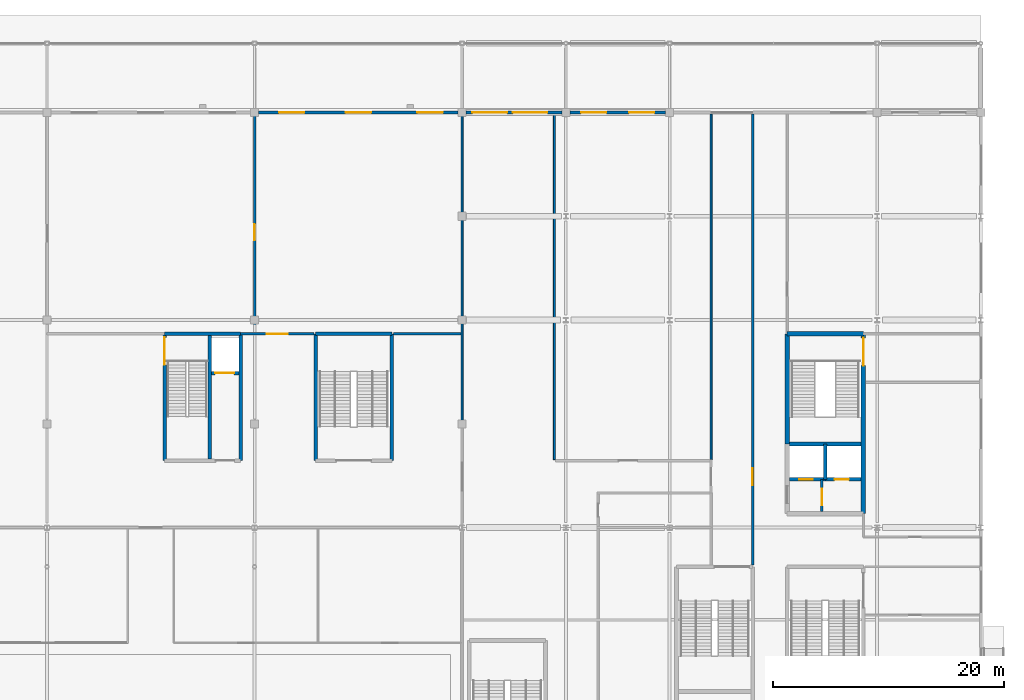
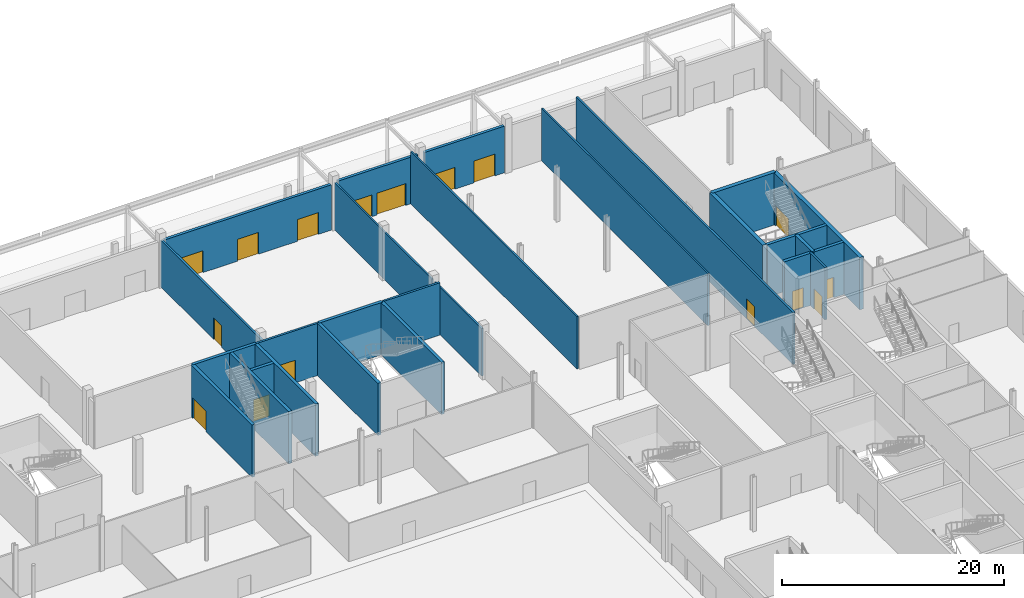
# One storey, part 42 of 84: 27 walls, 16 doors, 16 openings.
"""IFC4 building model written with IfcOpenShell, lengths in metres."""

from ifc_helpers import new_model, si_unit, direction, frame, frame_2d, origin, place, context, subcontext, project, spatial, rectangle, extrude, material, layer, layer_set, type_object, element, fill, save


model = new_model("IFC4")

# Units and contexts
model_context = context("Model", 3, precision=1e-05, world=origin(), true_north=direction((0.0, 1.0)))
body_context = subcontext(model_context, "Body", "Model", "MODEL_VIEW")
ifc_project = project(units=[si_unit("LENGTHUNIT", "METRE"), si_unit("AREAUNIT", "SQUARE_METRE"), si_unit("VOLUMEUNIT", "CUBIC_METRE"), si_unit("PLANEANGLEUNIT", "RADIAN"), si_unit("MASSUNIT", "GRAM", prefix="KILO")], contexts=[model_context])

# Site, building, storey
site_placement = place(None, origin())
site = spatial("IfcSite", under=ifc_project, at=site_placement, CompositionType="ELEMENT")
building_placement = place(site_placement, origin())
building = spatial("IfcBuilding", under=site, at=building_placement, Name="Kisiwana Market Hall", CompositionType="ELEMENT")
storey_placement = place(building_placement, origin())
storey = spatial("IfcBuildingStorey", under=building, at=storey_placement, Name="L00", CompositionType="ELEMENT", Elevation=0.0)

# Wall, opening, door
ifc_material_1 = material(Name="Steel S275", Category="steel")
ifc_layer_1 = layer(ifc_material_1, 0.010009765625, Name="Food-grade steel inner skin")
ifc_material_2 = material(Name="PIR insulation")
ifc_layer_2 = layer(ifc_material_2, 0.199951171875, Name="High-density PIR thermal core")
ifc_material_3 = material(Name="Steel S275", Category="steel")
ifc_layer_3 = layer(ifc_material_3, 0.010009765625, Name="Food-grade steel outer skin")
ifc_layer_set_1 = layer_set([ifc_layer_1, ifc_layer_2, ifc_layer_3], Name="WL-COLD-220")
wall_type_1 = type_object("IfcWallType", Name="WL-COLD-220", PredefinedType="PARTITIONING", material=ifc_layer_set_1)
wall_1_placement = place(storey_placement, frame((135.0, 100.909912109375, 0.0), z_axis=(0.0, 0.0, 1.0), x_axis=(0.0, 1.0, 0.0)))
wall_1 = element("IfcWall", 1, at=wall_1_placement, inside=storey, type_object=wall_type_1, Name="Interior partition W-0642", PredefinedType="PARTITIONING", context=body_context, shape_type="SweptSolid", body=[
    extrude(rectangle(XDim=18.945068359375, YDim=0.219970703125, at=frame_2d((9.47265625, 0.0))), origin(), (0.0, 0.0, 1.0), 5.1376953125),
])
opening_1_placement = place(wall_1_placement, frame((8.0, 0.0, 0.0)))
opening_1 = element("IfcOpeningElement", 2, at=opening_1_placement, cuts=wall_1, Name="Opening DR-L00-102", PredefinedType="OPENING", context=body_context, shape_type="SweptSolid", body=[
    extrude(rectangle(XDim=1.39990234375, YDim=2.35009765625, at=frame_2d((0.699951171875, 1.175048828125))), frame((0.0, 0.1220703125, 0.0), z_axis=(0.0, -1.0, 0.0), x_axis=(1.0, 0.0, 0.0)), (0.0, 0.0, 1.0), 0.243896484375),
])
ifc_material_4 = material(Name="Steel S275", Category="steel")
door_type_1 = type_object("IfcDoorType", Name="DR-COLD-FD60-1400", OperationType="SLIDING_TO_LEFT", PredefinedType="DOOR", material=ifc_material_4)
door_1_placement = place(opening_1_placement, origin())
door_1 = element("IfcDoor", 3, at=door_1_placement, inside=storey, type_object=door_type_1, Name="L00 Seafood Cold Store Partition Door", OperationType="SLIDING_TO_LEFT", OverallHeight=2.35009765625, OverallWidth=1.39990234375, PredefinedType="DOOR", context=body_context, shape_type="SweptSolid", body=[
    extrude(rectangle(XDim=1.39990234375, YDim=2.35009765625, at=frame_2d((0.699951171875, 1.175048828125))), frame((0.0, 0.02490234375, 0.0), z_axis=(0.0, -1.0, 0.0), x_axis=(1.0, 0.0, 0.0)), (0.0, 0.0, 1.0), 0.050048828125),
])
fill(opening_1, door_1)

wall_2_placement = place(storey_placement, frame((133.800048828125, 100.800048828125, 0.0), z_axis=(0.0, 0.0, 1.0), x_axis=(1.0, 0.0, 0.0)))
wall_2 = element("IfcWall", 4, at=wall_2_placement, inside=storey, type_object=wall_type_1, Name="Interior partition W-0644", PredefinedType="PARTITIONING", context=body_context, shape_type="SweptSolid", body=[
    extrude(rectangle(XDim=6.33984375, YDim=0.219970703125, at=frame_2d((3.169921875, 0.0))), origin(), (0.0, 0.0, 1.0), 5.75),
])
opening_2_placement = place(wall_2_placement, frame((2.27001953125, 0.0, 0.0)))
opening_2 = element("IfcOpeningElement", 5, at=opening_2_placement, cuts=wall_2, Name="Opening DR-L00-103", PredefinedType="OPENING", context=body_context, shape_type="SweptSolid", body=[
    extrude(rectangle(XDim=1.800048828125, YDim=2.5, at=frame_2d((0.89990234375, 1.25))), frame((0.0, 0.1220703125, 0.0), z_axis=(0.0, -1.0, 0.0), x_axis=(1.0, 0.0, 0.0)), (0.0, 0.0, 1.0), 0.243896484375),
])
ifc_material_5 = material(Name="Steel S275", Category="steel")
door_type_2 = type_object("IfcDoorType", Name="DR-COLD-FD60-1800", OperationType="SLIDING_TO_LEFT", PredefinedType="DOOR", material=ifc_material_5)
door_2_placement = place(opening_2_placement, origin())
door_2 = element("IfcDoor", 6, at=door_2_placement, inside=storey, type_object=door_type_2, Name="L00 Seafood Cold Store South Door", OperationType="SLIDING_TO_LEFT", OverallHeight=2.5, OverallWidth=1.800048828125, PredefinedType="DOOR", context=body_context, shape_type="SweptSolid", body=[
    extrude(rectangle(XDim=1.800048828125, YDim=2.5, at=frame_2d((0.89990234375, 1.25))), frame((0.0, 0.02490234375, 0.0), z_axis=(0.0, -1.0, 0.0), x_axis=(1.0, 0.0, 0.0)), (0.0, 0.0, 1.0), 0.050048828125),
])
fill(opening_2, door_2)

# Wall
wall_3_placement = place(storey_placement, frame((147.06005859375, 100.800048828125, 0.0), z_axis=(0.0, 0.0, 1.0), x_axis=(1.0, 0.0, 0.0)))
element("IfcWall", 7, at=wall_3_placement, inside=storey, type_object=wall_type_1, Name="Interior partition W-0645", PredefinedType="PARTITIONING", context=body_context, shape_type="SweptSolid", body=[
    extrude(rectangle(XDim=5.85498046875, YDim=0.219970703125, at=frame_2d((2.927490234375, 0.0))), origin(), (0.0, 0.0, 1.0), 5.75),
])

# Wall, opening, door
ifc_material_6 = material(Name="Masonry blockwork", Category="masonry")
ifc_layer_4 = layer(ifc_material_6, 0.199951171875, Name="Plastered fire compartment block wall")
ifc_layer_set_2 = layer_set([ifc_layer_4], Name="WL-COMP-200")
wall_type_2 = type_object("IfcWallType", Name="WL-COMP-200", PredefinedType="PARTITIONING", material=ifc_layer_set_2)
wall_4_placement = place(storey_placement, frame((184.199951171875, 85.39990234375, 0.0), z_axis=(0.0, 0.0, 1.0), x_axis=(0.0, 1.0, 0.0)))
wall_4 = element("IfcWall", 8, at=wall_4_placement, inside=storey, type_object=wall_type_2, Name="Core E1 firefighting lobby wall W-0532", PredefinedType="PARTITIONING", context=body_context, shape_type="SweptSolid", body=[
    extrude(rectangle(XDim=2.780029296875, YDim=0.199951171875, at=frame_2d((1.39013671875, 0.0))), origin(), (0.0, 0.0, 1.0), 5.75),
])
opening_3_placement = place(wall_4_placement, frame((0.550048828125, 0.0, 0.0)))
opening_3 = element("IfcOpeningElement", 9, at=opening_3_placement, cuts=wall_4, Name="Opening DR-L00-012", PredefinedType="OPENING", context=body_context, shape_type="SweptSolid", body=[
    extrude(rectangle(XDim=1.39990234375, YDim=2.25, at=frame_2d((0.699951171875, 1.125))), frame((0.0, 0.11181640625, 0.0), z_axis=(0.0, -1.0, 0.0), x_axis=(1.0, 0.0, 0.0)), (0.0, 0.0, 1.0), 0.223876953125),
])
ifc_material_7 = material(Name="Steel S275", Category="steel")
door_type_3 = type_object("IfcDoorType", Name="DR-FFLOB-FD120-1400", OperationType="DOUBLE_DOOR_SINGLE_SWING", PredefinedType="DOOR", material=ifc_material_7)
door_3_placement = place(opening_3_placement, origin())
door_3 = element("IfcDoor", 10, at=door_3_placement, inside=storey, type_object=door_type_3, Name="Firefighting Lift Lobby E1 Door (L00)", OperationType="DOUBLE_DOOR_SINGLE_SWING", OverallHeight=2.25, OverallWidth=1.39990234375, PredefinedType="DOOR", context=body_context, shape_type="SweptSolid", body=[
    extrude(rectangle(XDim=1.39990234375, YDim=2.25, at=frame_2d((0.699951171875, 1.125))), frame((0.0, 0.02490234375, 0.0), z_axis=(0.0, -1.0, 0.0), x_axis=(1.0, 0.0, 0.0)), (0.0, 0.0, 1.0), 0.050048828125),
])
fill(opening_3, door_3)

wall_5_placement = place(storey_placement, frame((178.199951171875, 80.760009765625, 0.0), z_axis=(0.0, 0.0, 1.0), x_axis=(0.0, 1.0, 0.0)))
wall_5 = element("IfcWall", 11, at=wall_5_placement, inside=storey, type_object=wall_type_2, Name="Interior partition W-0588", PredefinedType="PARTITIONING", context=body_context, shape_type="SweptSolid", body=[
    extrude(rectangle(XDim=39.094970703125, YDim=0.199951171875, at=frame_2d((19.54736328125, 0.0))), origin(), (0.0, 0.0, 1.0), 5.75),
])
opening_4_placement = place(wall_5_placement, frame((6.889892578125, 0.0, 0.0)))
opening_4 = element("IfcOpeningElement", 12, at=opening_4_placement, cuts=wall_5, Name="Opening DR-L00-072", PredefinedType="OPENING", context=body_context, shape_type="SweptSolid", body=[
    extrude(rectangle(XDim=1.5, YDim=2.199951171875, at=frame_2d((0.75, 1.10009765625))), frame((0.0, 0.11181640625, 0.0), z_axis=(0.0, -1.0, 0.0), x_axis=(1.0, 0.0, 0.0)), (0.0, 0.0, 1.0), 0.223876953125),
])
ifc_material_8 = material(Name="Steel S275", Category="steel")
door_type_4 = type_object("IfcDoorType", Name="DR-CORR-FD60-1500", OperationType="DOUBLE_DOOR_SINGLE_SWING", PredefinedType="DOOR", material=ifc_material_8)
door_4_placement = place(opening_4_placement, origin())
door_4 = element("IfcDoor", 13, at=door_4_placement, inside=storey, type_object=door_type_4, Name="L00 E North Market Link Corridor Door", OperationType="DOUBLE_DOOR_SINGLE_SWING", OverallHeight=2.199951171875, OverallWidth=1.5, PredefinedType="DOOR", context=body_context, shape_type="SweptSolid", body=[
    extrude(rectangle(XDim=1.5, YDim=2.199951171875, at=frame_2d((0.75, 1.10009765625))), frame((0.0, 0.02490234375, 0.0), z_axis=(0.0, -1.0, 0.0), x_axis=(1.0, 0.0, 0.0)), (0.0, 0.0, 1.0), 0.050048828125),
])
fill(opening_4, door_4)

# Walls
ifc_material_9 = material(Name="Concrete C40/50", Category="concrete")
ifc_layer_5 = layer(ifc_material_9, 0.320068359375, Name="Reinforced concrete shaft wall")
ifc_layer_set_3 = layer_set([ifc_layer_5], Name="WL-CORE-320")
wall_type_3 = type_object("IfcWallType", Name="WL-CORE-320", PredefinedType="SHEAR", material=ifc_layer_set_3)
wall_6_placement = place(storey_placement, frame((181.39990234375, 91.239990234375, 0.0), z_axis=(0.0, 0.0, 1.0), x_axis=(1.0, 0.0, 0.0)))
element("IfcWall", 14, at=wall_6_placement, inside=storey, type_object=wall_type_3, Name="Core E1 shaft back shear wall W-0367", PredefinedType="SHEAR", context=body_context, shape_type="SweptSolid", body=[
    extrude(rectangle(XDim=6.2001953125, YDim=0.320068359375, at=frame_2d((3.10009765625, 0.0))), origin(), (0.0, 0.0, 1.0), 5.75),
])
wall_7_placement = place(storey_placement, frame((184.5, 88.179931640625, 0.0), z_axis=(0.0, 0.0, 1.0), x_axis=(0.0, 1.0, 0.0)))
element("IfcWall", 15, at=wall_7_placement, inside=storey, type_object=wall_type_3, Name="Core E1 inter-shaft shear wall W-0368", PredefinedType="SHEAR", context=body_context, shape_type="SweptSolid", body=[
    extrude(rectangle(XDim=3.06005859375, YDim=0.320068359375, at=frame_2d((1.530029296875, 0.0))), origin(), (0.0, 0.0, 1.0), 5.75),
])

# Wall, opening, door
wall_8_placement = place(storey_placement, frame((181.39990234375, 88.179931640625, 0.0), z_axis=(0.0, 0.0, 1.0), x_axis=(1.0, 0.0, 0.0)))
wall_8 = element("IfcWall", 16, at=wall_8_placement, inside=storey, type_object=wall_type_3, Name="Core E1 west lift front wall W-0369", PredefinedType="SHEAR", context=body_context, shape_type="SweptSolid", body=[
    extrude(rectangle(XDim=3.10009765625, YDim=0.320068359375, at=frame_2d((1.550048828125, 0.0))), origin(), (0.0, 0.0, 1.0), 5.75),
])
opening_5_placement = place(wall_8_placement, frame((0.85009765625, 0.0, 0.0)))
opening_5 = element("IfcOpeningElement", 17, at=opening_5_placement, cuts=wall_8, Name="Opening LD-L00-007", PredefinedType="OPENING", context=body_context, shape_type="SweptSolid", body=[
    extrude(rectangle(XDim=1.14990234375, YDim=2.199951171875, at=frame_2d((0.574951171875, 1.10009765625))), frame((0.0, 0.171875, 0.0), z_axis=(0.0, -1.0, 0.0), x_axis=(1.0, 0.0, 0.0)), (0.0, 0.0, 1.0), 0.343994140625),
])
ifc_material_10 = material(Name="Steel S275", Category="steel")
door_type_5 = type_object("IfcDoorType", Name="DR-LIFT-PAX-1150", OperationType="DOUBLE_DOOR_SLIDING", PredefinedType="DOOR", material=ifc_material_10)
door_5_placement = place(opening_5_placement, origin())
door_5 = element("IfcDoor", 18, at=door_5_placement, inside=storey, type_object=door_type_5, Name="Lift Landing Door LP-04 (L00)", OperationType="DOUBLE_DOOR_SLIDING", OverallHeight=2.199951171875, OverallWidth=1.14990234375, PredefinedType="DOOR", context=body_context, shape_type="SweptSolid", body=[
    extrude(rectangle(XDim=1.14990234375, YDim=2.199951171875, at=frame_2d((0.574951171875, 1.10009765625))), frame((0.0, 0.02490234375, 0.0), z_axis=(0.0, -1.0, 0.0), x_axis=(1.0, 0.0, 0.0)), (0.0, 0.0, 1.0), 0.050048828125),
])
fill(opening_5, door_5)

wall_9_placement = place(storey_placement, frame((184.5, 88.179931640625, 0.0), z_axis=(0.0, 0.0, 1.0), x_axis=(1.0, 0.0, 0.0)))
wall_9 = element("IfcWall", 19, at=wall_9_placement, inside=storey, type_object=wall_type_3, Name="Core E1 east lift front wall W-0370", PredefinedType="SHEAR", context=body_context, shape_type="SweptSolid", body=[
    extrude(rectangle(XDim=3.10009765625, YDim=0.320068359375, at=frame_2d((1.550048828125, 0.0))), origin(), (0.0, 0.0, 1.0), 5.75),
])
opening_6_placement = place(wall_9_placement, frame((0.800048828125, 0.0, 0.0)))
opening_6 = element("IfcOpeningElement", 20, at=opening_6_placement, cuts=wall_9, Name="Opening LD-L00-008", PredefinedType="OPENING", context=body_context, shape_type="SweptSolid", body=[
    extrude(rectangle(XDim=1.25, YDim=2.25, at=frame_2d((0.625, 1.125))), frame((0.0, 0.171875, 0.0), z_axis=(0.0, -1.0, 0.0), x_axis=(1.0, 0.0, 0.0)), (0.0, 0.0, 1.0), 0.343994140625),
])
ifc_material_11 = material(Name="Steel S275", Category="steel")
door_type_6 = type_object("IfcDoorType", Name="DR-LIFT-FFL-1250", OperationType="DOUBLE_DOOR_SLIDING", PredefinedType="DOOR", material=ifc_material_11)
door_6_placement = place(opening_6_placement, origin())
door_6 = element("IfcDoor", 21, at=door_6_placement, inside=storey, type_object=door_type_6, Name="Lift Landing Door FFL-04 (L00)", OperationType="DOUBLE_DOOR_SLIDING", OverallHeight=2.25, OverallWidth=1.25, PredefinedType="DOOR", context=body_context, shape_type="SweptSolid", body=[
    extrude(rectangle(XDim=1.25, YDim=2.25, at=frame_2d((0.625, 1.125))), frame((0.0, 0.02490234375, 0.0), z_axis=(0.0, -1.0, 0.0), x_axis=(1.0, 0.0, 0.0)), (0.0, 0.0, 1.0), 0.050048828125),
])
fill(opening_6, door_6)

# Wall
wall_10_placement = place(storey_placement, frame((127.199951171875, 100.800048828125, 0.0), z_axis=(0.0, 0.0, 1.0), x_axis=(1.0, 0.0, 0.0)))
element("IfcWall", 22, at=wall_10_placement, inside=storey, type_object=wall_type_3, Name="Core N2 north wall W-0388", PredefinedType="SHEAR", context=body_context, shape_type="SweptSolid", body=[
    extrude(rectangle(XDim=6.60009765625, YDim=0.320068359375, at=frame_2d((3.300048828125, 0.0))), origin(), (0.0, 0.0, 1.0), 5.75),
])

# Wall, opening, door
wall_11_placement = place(storey_placement, frame((127.199951171875, 89.800048828125, 0.0), z_axis=(0.0, 0.0, 1.0), x_axis=(0.0, 1.0, 0.0)))
wall_11 = element("IfcWall", 23, at=wall_11_placement, inside=storey, type_object=wall_type_3, Name="Core N2 west wall W-0389", PredefinedType="SHEAR", context=body_context, shape_type="SweptSolid", body=[
    extrude(rectangle(XDim=11.0, YDim=0.320068359375, at=frame_2d((5.5, 0.0))), origin(), (0.0, 0.0, 1.0), 5.75),
])
opening_7_placement = place(wall_11_placement, frame((8.300048828125, 0.0, 0.0)))
opening_7 = element("IfcOpeningElement", 24, at=opening_7_placement, cuts=wall_11, Name="Opening DR-L00-017", PredefinedType="OPENING", context=body_context, shape_type="SweptSolid", body=[
    extrude(rectangle(XDim=2.39990234375, YDim=2.25, at=frame_2d((1.199951171875, 1.125))), frame((0.0, 0.171875, 0.0), z_axis=(0.0, -1.0, 0.0), x_axis=(1.0, 0.0, 0.0)), (0.0, 0.0, 1.0), 0.343994140625),
])
ifc_material_12 = material(Name="Steel S275", Category="steel")
door_type_7 = type_object("IfcDoorType", Name="DR-STAIR-FD120-2400", OperationType="DOUBLE_DOOR_SINGLE_SWING", PredefinedType="DOOR", material=ifc_material_12)
door_7_placement = place(opening_7_placement, origin())
door_7 = element("IfcDoor", 25, at=door_7_placement, inside=storey, type_object=door_type_7, Name="Podium Escape Stair N2 Fire Door (L00)", OperationType="DOUBLE_DOOR_SINGLE_SWING", OverallHeight=2.25, OverallWidth=2.39990234375, PredefinedType="DOOR", context=body_context, shape_type="SweptSolid", body=[
    extrude(rectangle(XDim=2.39990234375, YDim=2.25, at=frame_2d((1.199951171875, 1.125))), frame((0.0, 0.02490234375, 0.0), z_axis=(0.0, -1.0, 0.0), x_axis=(1.0, 0.0, 0.0)), (0.0, 0.0, 1.0), 0.050048828125),
])
fill(opening_7, door_7)

# Walls
wall_12_placement = place(storey_placement, frame((133.800048828125, 89.800048828125, 0.0), z_axis=(0.0, 0.0, 1.0), x_axis=(0.0, 1.0, 0.0)))
element("IfcWall", 26, at=wall_12_placement, inside=storey, type_object=wall_type_3, Name="Core N2 east wall W-0390", PredefinedType="SHEAR", context=body_context, shape_type="SweptSolid", body=[
    extrude(rectangle(XDim=11.0, YDim=0.320068359375, at=frame_2d((5.5, 0.0))), origin(), (0.0, 0.0, 1.0), 5.75),
])
wall_13_placement = place(storey_placement, frame((131.1201171875, 89.9599609375, 0.0), z_axis=(0.0, 0.0, 1.0), x_axis=(0.0, 1.0, 0.0)))
element("IfcWall", 27, at=wall_13_placement, inside=storey, type_object=wall_type_3, Name="Core N2 shaft divider W-0391", PredefinedType="SHEAR", context=body_context, shape_type="SweptSolid", body=[
    extrude(rectangle(XDim=10.679931640625, YDim=0.320068359375, at=frame_2d((5.33984375, 0.0))), origin(), (0.0, 0.0, 1.0), 5.75),
])

# Wall, opening, door
wall_14_placement = place(storey_placement, frame((131.280029296875, 97.389892578125, 0.0), z_axis=(0.0, 0.0, 1.0), x_axis=(1.0, 0.0, 0.0)))
wall_14 = element("IfcWall", 28, at=wall_14_placement, inside=storey, type_object=wall_type_3, Name="Core N2 goods lift front wall W-0392", PredefinedType="SHEAR", context=body_context, shape_type="SweptSolid", body=[
    extrude(rectangle(XDim=2.35986328125, YDim=0.320068359375, at=frame_2d((1.179931640625, 0.0))), origin(), (0.0, 0.0, 1.0), 5.75),
])
opening_8_placement = place(wall_14_placement, frame((0.300048828125, 0.0, 0.0)))
opening_8 = element("IfcOpeningElement", 29, at=opening_8_placement, cuts=wall_14, Name="Opening LD-L00-010", PredefinedType="OPENING", context=body_context, shape_type="SweptSolid", body=[
    extrude(rectangle(XDim=1.64990234375, YDim=2.35009765625, at=frame_2d((0.824951171875, 1.175048828125))), frame((0.0, 0.171875, 0.0), z_axis=(0.0, -1.0, 0.0), x_axis=(1.0, 0.0, 0.0)), (0.0, 0.0, 1.0), 0.343994140625),
])
ifc_material_13 = material(Name="Steel S275", Category="steel")
door_type_8 = type_object("IfcDoorType", Name="DR-LIFT-GDS-1650", OperationType="DOUBLE_DOOR_SLIDING", PredefinedType="DOOR", material=ifc_material_13)
door_8_placement = place(opening_8_placement, origin())
door_8 = element("IfcDoor", 30, at=door_8_placement, inside=storey, type_object=door_type_8, Name="Lift Landing Door LG-02 (L00)", OperationType="DOUBLE_DOOR_SLIDING", OverallHeight=2.35009765625, OverallWidth=1.64990234375, PredefinedType="DOOR", context=body_context, shape_type="SweptSolid", body=[
    extrude(rectangle(XDim=1.64990234375, YDim=2.35009765625, at=frame_2d((0.824951171875, 1.175048828125))), frame((0.0, 0.02490234375, 0.0), z_axis=(0.0, -1.0, 0.0), x_axis=(1.0, 0.0, 0.0)), (0.0, 0.0, 1.0), 0.050048828125),
])
fill(opening_8, door_8)

# Walls
wall_15_placement = place(storey_placement, frame((140.300048828125, 100.800048828125, 0.0), z_axis=(0.0, 0.0, 1.0), x_axis=(1.0, 0.0, 0.0)))
element("IfcWall", 31, at=wall_15_placement, inside=storey, type_object=wall_type_3, Name="Core N6 outer shear wall W-0486", PredefinedType="SHEAR", context=body_context, shape_type="SweptSolid", body=[
    extrude(rectangle(XDim=6.599853515625, YDim=0.320068359375, at=frame_2d((3.2998046875, 0.0))), origin(), (0.0, 0.0, 1.0), 5.75),
])
for number, where, z_axis, x_axis, name in (
    (32, (140.300048828125, 89.800048828125, 0.0), (0.0, 0.0, 1.0), (0.0, 1.0, 0.0), "Core N6 west shear wall W-0487"),
    (33, (146.89990234375, 89.800048828125, 0.0), (0.0, 0.0, 1.0), (0.0, 1.0, 0.0), "Core N6 east shear wall W-0488"),
):
    element("IfcWall", number, at=place(storey_placement, frame(where, z_axis=z_axis, x_axis=x_axis)), inside=storey, type_object=wall_type_3, Name=name, PredefinedType="SHEAR", context=body_context, shape_type="SweptSolid", body=[
        extrude(rectangle(XDim=11.0, YDim=0.320068359375, at=frame_2d((5.5, 0.0))), origin(), (0.0, 0.0, 1.0), 5.75),
    ])
ifc_material_14 = material(Name="Concrete C40/50", Category="concrete")
ifc_layer_6 = layer(ifc_material_14, 0.39990234375, Name="Reinforced concrete core wall")
ifc_layer_set_4 = layer_set([ifc_layer_6], Name="WL-CORE-400")
wall_type_4 = type_object("IfcWallType", Name="WL-CORE-400", PredefinedType="SHEAR", material=ifc_layer_set_4)
wall_16_placement = place(storey_placement, frame((181.199951171875, 100.800048828125, 0.0), z_axis=(0.0, 0.0, 1.0), x_axis=(1.0, 0.0, 0.0)))
element("IfcWall", 34, at=wall_16_placement, inside=storey, type_object=wall_type_4, Name="Core E1 north shear wall W-0363", PredefinedType="SHEAR", context=body_context, shape_type="SweptSolid", body=[
    extrude(rectangle(XDim=6.60009765625, YDim=0.39990234375, at=frame_2d((3.300048828125, 0.0))), origin(), (0.0, 0.0, 1.0), 5.75),
])

# Wall, opening, door
wall_17_placement = place(storey_placement, frame((187.800048828125, 85.199951171875, 0.0), z_axis=(0.0, 0.0, 1.0), x_axis=(0.0, 1.0, 0.0)))
wall_17 = element("IfcWall", 35, at=wall_17_placement, inside=storey, type_object=wall_type_4, Name="Core E1 outer shear wall W-0364", PredefinedType="SHEAR", context=body_context, shape_type="SweptSolid", body=[
    extrude(rectangle(XDim=15.60009765625, YDim=0.39990234375, at=frame_2d((7.800048828125, 0.0))), origin(), (0.0, 0.0, 1.0), 5.75),
])
opening_9_placement = place(wall_17_placement, frame((12.85009765625, 0.0, 0.0)))
opening_9 = element("IfcOpeningElement", 36, at=opening_9_placement, cuts=wall_17, Name="Opening DR-L00-011", PredefinedType="OPENING", context=body_context, shape_type="SweptSolid", body=[
    extrude(rectangle(XDim=2.39990234375, YDim=2.25, at=frame_2d((1.199951171875, 1.125))), frame((0.0, 0.2119140625, 0.0), z_axis=(0.0, -1.0, 0.0), x_axis=(1.0, 0.0, 0.0)), (0.0, 0.0, 1.0), 0.423828125),
])
door_9_placement = place(opening_9_placement, frame((2.39990234375, 0.0, 0.0), z_axis=(0.0, 0.0, 1.0), x_axis=(-1.0, 0.0, 0.0)))
door_9 = element("IfcDoor", 37, at=door_9_placement, inside=storey, type_object=door_type_7, Name="Escape Stair E1 Fire Door (L00)", OperationType="DOUBLE_DOOR_SINGLE_SWING", OverallHeight=2.25, OverallWidth=2.39990234375, PredefinedType="DOOR", context=body_context, shape_type="SweptSolid", body=[
    extrude(rectangle(XDim=2.39990234375, YDim=2.25, at=frame_2d((1.199951171875, 1.125))), frame((0.0, 0.02490234375, 0.0), z_axis=(0.0, -1.0, 0.0), x_axis=(1.0, 0.0, 0.0)), (0.0, 0.0, 1.0), 0.050048828125),
])
fill(opening_9, door_9)

# Walls
wall_18_placement = place(storey_placement, frame((181.199951171875, 91.239990234375, 0.0), z_axis=(0.0, 0.0, 1.0), x_axis=(0.0, 1.0, 0.0)))
element("IfcWall", 38, at=wall_18_placement, inside=storey, type_object=wall_type_4, Name="Core E1 stair corridor shear wall W-0366", PredefinedType="SHEAR", context=body_context, shape_type="SweptSolid", body=[
    extrude(rectangle(XDim=9.56005859375, YDim=0.39990234375, at=frame_2d((4.780029296875, 0.0))), origin(), (0.0, 0.0, 1.0), 5.75),
])
ifc_material_15 = material(Name="Masonry blockwork", Category="masonry")
ifc_layer_7 = layer(ifc_material_15, 0.169921875, Name="Protected corridor partition")
ifc_layer_set_5 = layer_set([ifc_layer_7], Name="WL-CORR-170")
wall_type_5 = type_object("IfcWallType", Name="WL-CORR-170", PredefinedType="PARTITIONING", material=ifc_layer_set_5)
wall_19_placement = place(storey_placement, frame((153.0, 93.219970703125, 0.0), z_axis=(0.0, 0.0, 1.0), x_axis=(0.0, 1.0, 0.0)))
element("IfcWall", 39, at=wall_19_placement, inside=storey, type_object=wall_type_5, Name="Interior partition W-0595", PredefinedType="PARTITIONING", context=body_context, shape_type="SweptSolid", body=[
    extrude(rectangle(XDim=8.56005859375, YDim=0.169921875, at=frame_2d((4.280029296875, 0.0))), origin(), (0.0, 0.0, 1.0), 5.216796875),
])
wall_20_placement = place(storey_placement, frame((153.0, 102.219970703125, 0.0), z_axis=(0.0, 0.0, 1.0), x_axis=(0.0, 1.0, 0.0)))
element("IfcWall", 40, at=wall_20_placement, inside=storey, type_object=wall_type_5, Name="Interior partition W-0596", PredefinedType="PARTITIONING", context=body_context, shape_type="SweptSolid", body=[
    extrude(rectangle(XDim=17.56005859375, YDim=0.169921875, at=frame_2d((8.780029296875, 0.0))), origin(), (0.0, 0.0, 1.0), 5.216796875),
])
for number, where, z_axis, x_axis, name in (
    (41, (161.0, 89.89990234375, 0.0), (0.0, 0.0, 1.0), (0.0, 1.0, 0.0), "Interior partition W-0662"),
    (42, (174.60009765625, 89.89990234375, 0.0), (0.0, 0.0, 1.0), (0.0, 1.0, 0.0), "Interior partition W-0663"),
):
    element("IfcWall", number, at=place(storey_placement, frame(where, z_axis=z_axis, x_axis=x_axis)), inside=storey, type_object=wall_type_5, Name=name, PredefinedType="PARTITIONING", context=body_context, shape_type="SweptSolid", body=[
        extrude(rectangle(XDim=29.955078125, YDim=0.169921875, at=frame_2d((14.9775390625, 0.0))), origin(), (0.0, 0.0, 1.0), 5.75),
    ])

# Wall, openings, doors
ifc_material_16 = material(Name="Masonry blockwork", Category="masonry")
ifc_layer_8 = layer(ifc_material_16, 0.139892578125, Name="Rendered masonry outer leaf")
ifc_material_17 = material(Name="Mineral wool insulation")
ifc_layer_9 = layer(ifc_material_17, 0.074951171875, Name="Mineral wool cavity insulation")
ifc_material_18 = material(Name="Gypsum plasterboard")
ifc_layer_10 = layer(ifc_material_18, 0.074951171875, Name="Calcium silicate inner lining")
ifc_layer_set_6 = layer_set([ifc_layer_8, ifc_layer_9, ifc_layer_10], Name="WL-EXT-MAS-290")
wall_type_6 = type_object("IfcWallType", Name="WL-EXT-MAS-290", PredefinedType="STANDARD", material=ifc_layer_set_6)
wall_21_placement = place(storey_placement, frame((135.342041015625, 120.0, 0.0), z_axis=(0.0, 0.0, 1.0), x_axis=(1.0, 0.0, 0.0)))
wall_21 = element("IfcWall", 43, at=wall_21_placement, inside=storey, type_object=wall_type_6, Name="Exterior wall W-0512", PredefinedType="STANDARD", context=body_context, shape_type="SweptSolid", body=[
    extrude(rectangle(XDim=17.31591796875, YDim=0.2900390625, at=frame_2d((8.657958984375, 0.0))), origin(), (0.0, 0.0, 1.0), 4.98779296875),
])
opening_10_placement = place(wall_21_placement, frame((1.785888671875, 0.0, 0.0)))
opening_10 = element("IfcOpeningElement", 44, at=opening_10_placement, cuts=wall_21, Name="Opening DR-L00-850", PredefinedType="OPENING", context=body_context, shape_type="SweptSolid", body=[
    extrude(rectangle(XDim=2.199951171875, YDim=2.39990234375, at=frame_2d((1.10009765625, 1.199951171875))), frame((0.0, 0.156982421875, 0.0), z_axis=(0.0, -1.0, 0.0), x_axis=(1.0, 0.0, 0.0)), (0.0, 0.0, 1.0), 0.31396484375),
])
opening_11_placement = place(wall_21_placement, frame((7.55810546875, 0.0, 0.0)))
opening_11 = element("IfcOpeningElement", 45, at=opening_11_placement, cuts=wall_21, Name="Opening DR-L00-851", PredefinedType="OPENING", context=body_context, shape_type="SweptSolid", body=[
    extrude(rectangle(XDim=2.199951171875, YDim=2.39990234375, at=frame_2d((1.10009765625, 1.199951171875))), frame((0.0, 0.156982421875, 0.0), z_axis=(0.0, -1.0, 0.0), x_axis=(1.0, 0.0, 0.0)), (0.0, 0.0, 1.0), 0.31396484375),
])
opening_12_placement = place(wall_21_placement, frame((13.780029296875, 0.0, 0.0)))
opening_12 = element("IfcOpeningElement", 46, at=opening_12_placement, cuts=wall_21, Name="Opening DR-L00-852", PredefinedType="OPENING", context=body_context, shape_type="SweptSolid", body=[
    extrude(rectangle(XDim=2.199951171875, YDim=2.39990234375, at=frame_2d((1.10009765625, 1.199951171875))), frame((0.0, 0.156982421875, 0.0), z_axis=(0.0, -1.0, 0.0), x_axis=(1.0, 0.0, 0.0)), (0.0, 0.0, 1.0), 0.31396484375),
])
ifc_material_19 = material(Name="Aluminium alloy 6063-T6", Category="aluminium")
door_type_9 = type_object("IfcDoorType", Name="DR-EXT-EX-2200", OperationType="DOUBLE_DOOR_SINGLE_SWING", PredefinedType="DOOR", material=ifc_material_19)
door_10_placement = place(opening_10_placement, origin())
door_10 = element("IfcDoor", 47, at=door_10_placement, inside=storey, type_object=door_type_9, Name="Ground avenue pedestrian final exit door DR-L00-850", OperationType="DOUBLE_DOOR_SINGLE_SWING", OverallHeight=2.39990234375, OverallWidth=2.199951171875, PredefinedType="DOOR", context=body_context, shape_type="SweptSolid", body=[
    extrude(rectangle(XDim=2.199951171875, YDim=2.39990234375, at=frame_2d((1.10009765625, 1.199951171875))), frame((0.0, 0.02490234375, 0.0), z_axis=(0.0, -1.0, 0.0), x_axis=(1.0, 0.0, 0.0)), (0.0, 0.0, 1.0), 0.050048828125),
])
fill(opening_10, door_10)
door_11_placement = place(opening_11_placement, origin())
door_11 = element("IfcDoor", 48, at=door_11_placement, inside=storey, type_object=door_type_9, Name="Ground avenue pedestrian final exit door DR-L00-851", OperationType="DOUBLE_DOOR_SINGLE_SWING", OverallHeight=2.39990234375, OverallWidth=2.199951171875, PredefinedType="DOOR", context=body_context, shape_type="SweptSolid", body=[
    extrude(rectangle(XDim=2.199951171875, YDim=2.39990234375, at=frame_2d((1.10009765625, 1.199951171875))), frame((0.0, 0.02490234375, 0.0), z_axis=(0.0, -1.0, 0.0), x_axis=(1.0, 0.0, 0.0)), (0.0, 0.0, 1.0), 0.050048828125),
])
fill(opening_11, door_11)
door_12_placement = place(opening_12_placement, origin())
door_12 = element("IfcDoor", 49, at=door_12_placement, inside=storey, type_object=door_type_9, Name="Ground avenue pedestrian final exit door DR-L00-852", OperationType="DOUBLE_DOOR_SINGLE_SWING", OverallHeight=2.39990234375, OverallWidth=2.199951171875, PredefinedType="DOOR", context=body_context, shape_type="SweptSolid", body=[
    extrude(rectangle(XDim=2.199951171875, YDim=2.39990234375, at=frame_2d((1.10009765625, 1.199951171875))), frame((0.0, 0.02490234375, 0.0), z_axis=(0.0, -1.0, 0.0), x_axis=(1.0, 0.0, 0.0)), (0.0, 0.0, 1.0), 0.050048828125),
])
fill(opening_12, door_12)

wall_22_placement = place(storey_placement, frame((153.342041015625, 120.0, 0.0), z_axis=(0.0, 0.0, 1.0), x_axis=(1.0, 0.0, 0.0)))
wall_22 = element("IfcWall", 50, at=wall_22_placement, inside=storey, type_object=wall_type_6, Name="Exterior wall W-0513", PredefinedType="STANDARD", context=body_context, shape_type="SweptSolid", body=[
    extrude(rectangle(XDim=8.31591796875, YDim=0.2900390625, at=frame_2d((4.157958984375, 0.0))), origin(), (0.0, 0.0, 1.0), 5.1376953125),
])
opening_13_placement = place(wall_22_placement, frame((0.55810546875, 0.0, 0.0)))
opening_13 = element("IfcOpeningElement", 51, at=opening_13_placement, cuts=wall_22, Name="Opening DR-L00-853", PredefinedType="OPENING", context=body_context, shape_type="SweptSolid", body=[
    extrude(rectangle(XDim=3.0, YDim=2.39990234375, at=frame_2d((1.5, 1.199951171875))), frame((0.0, 0.156982421875, 0.0), z_axis=(0.0, -1.0, 0.0), x_axis=(1.0, 0.0, 0.0)), (0.0, 0.0, 1.0), 0.31396484375),
])
opening_14_placement = place(wall_22_placement, frame((4.05810546875, 0.0, 0.0)))
opening_14 = element("IfcOpeningElement", 52, at=opening_14_placement, cuts=wall_22, Name="Opening DR-L00-854", PredefinedType="OPENING", context=body_context, shape_type="SweptSolid", body=[
    extrude(rectangle(XDim=3.0, YDim=2.39990234375, at=frame_2d((1.5, 1.199951171875))), frame((0.0, 0.156982421875, 0.0), z_axis=(0.0, -1.0, 0.0), x_axis=(1.0, 0.0, 0.0)), (0.0, 0.0, 1.0), 0.31396484375),
])
ifc_material_20 = material(Name="Aluminium alloy 6063-T6", Category="aluminium")
door_type_10 = type_object("IfcDoorType", Name="DR-EXT-EX-3000", OperationType="DOUBLE_DOOR_SINGLE_SWING", PredefinedType="DOOR", material=ifc_material_20)
door_13_placement = place(opening_13_placement, origin())
door_13 = element("IfcDoor", 53, at=door_13_placement, inside=storey, type_object=door_type_10, Name="Escape passage final exit door DR-L00-853", OperationType="DOUBLE_DOOR_SINGLE_SWING", OverallHeight=2.39990234375, OverallWidth=3.0, PredefinedType="DOOR", context=body_context, shape_type="SweptSolid", body=[
    extrude(rectangle(XDim=3.0, YDim=2.39990234375, at=frame_2d((1.5, 1.199951171875))), frame((0.0, 0.02490234375, 0.0), z_axis=(0.0, -1.0, 0.0), x_axis=(1.0, 0.0, 0.0)), (0.0, 0.0, 1.0), 0.050048828125),
])
fill(opening_13, door_13)
door_14_placement = place(opening_14_placement, origin())
door_14 = element("IfcDoor", 54, at=door_14_placement, inside=storey, type_object=door_type_10, Name="Escape passage final exit door DR-L00-854", OperationType="DOUBLE_DOOR_SINGLE_SWING", OverallHeight=2.39990234375, OverallWidth=3.0, PredefinedType="DOOR", context=body_context, shape_type="SweptSolid", body=[
    extrude(rectangle(XDim=3.0, YDim=2.39990234375, at=frame_2d((1.5, 1.199951171875))), frame((0.0, 0.02490234375, 0.0), z_axis=(0.0, -1.0, 0.0), x_axis=(1.0, 0.0, 0.0)), (0.0, 0.0, 1.0), 0.050048828125),
])
fill(opening_14, door_14)

wall_23_placement = place(storey_placement, frame((162.342041015625, 120.0, 0.0), z_axis=(0.0, 0.0, 1.0), x_axis=(1.0, 0.0, 0.0)))
wall_23 = element("IfcWall", 55, at=wall_23_placement, inside=storey, type_object=wall_type_6, Name="Exterior wall W-0514", PredefinedType="STANDARD", context=body_context, shape_type="SweptSolid", body=[
    extrude(rectangle(XDim=8.31591796875, YDim=0.2900390625, at=frame_2d((4.157958984375, 0.0))), origin(), (0.0, 0.0, 1.0), 5.1376953125),
])
opening_15_placement = place(wall_23_placement, frame((0.97900390625, 0.0, 0.0)))
opening_15 = element("IfcOpeningElement", 56, at=opening_15_placement, cuts=wall_23, Name="Opening DR-L00-855", PredefinedType="OPENING", context=body_context, shape_type="SweptSolid", body=[
    extrude(rectangle(XDim=2.199951171875, YDim=2.39990234375, at=frame_2d((1.10009765625, 1.199951171875))), frame((0.0, 0.156982421875, 0.0), z_axis=(0.0, -1.0, 0.0), x_axis=(1.0, 0.0, 0.0)), (0.0, 0.0, 1.0), 0.31396484375),
])
opening_16_placement = place(wall_23_placement, frame((5.136962890625, 0.0, 0.0)))
opening_16 = element("IfcOpeningElement", 57, at=opening_16_placement, cuts=wall_23, Name="Opening DR-L00-856", PredefinedType="OPENING", context=body_context, shape_type="SweptSolid", body=[
    extrude(rectangle(XDim=2.199951171875, YDim=2.39990234375, at=frame_2d((1.10009765625, 1.199951171875))), frame((0.0, 0.156982421875, 0.0), z_axis=(0.0, -1.0, 0.0), x_axis=(1.0, 0.0, 0.0)), (0.0, 0.0, 1.0), 0.31396484375),
])
door_15_placement = place(opening_15_placement, origin())
door_15 = element("IfcDoor", 58, at=door_15_placement, inside=storey, type_object=door_type_9, Name="Ground avenue pedestrian final exit door DR-L00-855", OperationType="DOUBLE_DOOR_SINGLE_SWING", OverallHeight=2.39990234375, OverallWidth=2.199951171875, PredefinedType="DOOR", context=body_context, shape_type="SweptSolid", body=[
    extrude(rectangle(XDim=2.199951171875, YDim=2.39990234375, at=frame_2d((1.10009765625, 1.199951171875))), frame((0.0, 0.02490234375, 0.0), z_axis=(0.0, -1.0, 0.0), x_axis=(1.0, 0.0, 0.0)), (0.0, 0.0, 1.0), 0.050048828125),
])
fill(opening_15, door_15)
door_16_placement = place(opening_16_placement, origin())
door_16 = element("IfcDoor", 59, at=door_16_placement, inside=storey, type_object=door_type_9, Name="Ground avenue pedestrian final exit door DR-L00-856", OperationType="DOUBLE_DOOR_SINGLE_SWING", OverallHeight=2.39990234375, OverallWidth=2.199951171875, PredefinedType="DOOR", context=body_context, shape_type="SweptSolid", body=[
    extrude(rectangle(XDim=2.199951171875, YDim=2.39990234375, at=frame_2d((1.10009765625, 1.199951171875))), frame((0.0, 0.02490234375, 0.0), z_axis=(0.0, -1.0, 0.0), x_axis=(1.0, 0.0, 0.0)), (0.0, 0.0, 1.0), 0.050048828125),
])
fill(opening_16, door_16)

save(model, "model.ifc")
